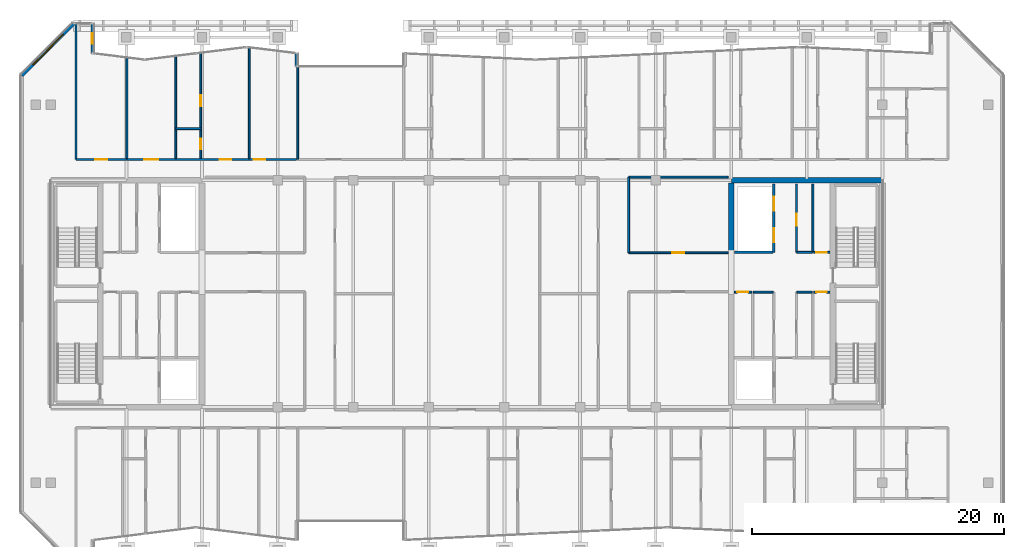
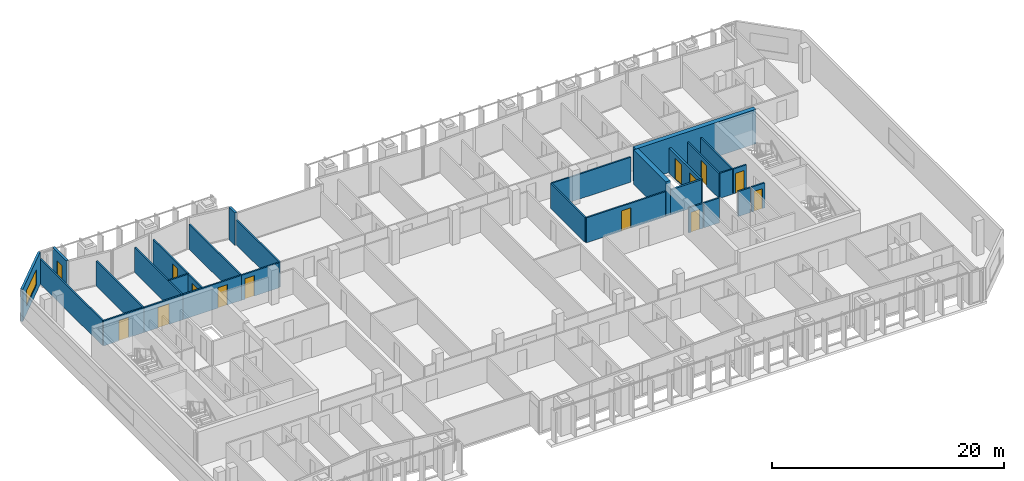
# One storey, part 24 of 32: 29 walls, 13 doors, 2 windows, 15 openings.
"""IFC4 building model written with IfcOpenShell, lengths in metres."""

from ifc_helpers import new_model, si_unit, direction, frame, frame_2d, origin, place, context, subcontext, project, spatial, rectangle, extrude, material, layer, layer_set, type_object, element, fill, save


model = new_model("IFC4")

# Units and contexts
model_context = context("Model", 3, precision=1e-05, world=origin(), true_north=direction((0.0, 1.0)))
body_context = subcontext(model_context, "Body", "Model", "MODEL_VIEW")
ifc_project = project(units=[si_unit("LENGTHUNIT", "METRE"), si_unit("AREAUNIT", "SQUARE_METRE"), si_unit("VOLUMEUNIT", "CUBIC_METRE"), si_unit("PLANEANGLEUNIT", "RADIAN"), si_unit("MASSUNIT", "GRAM", prefix="KILO")], contexts=[model_context])

# Site, building, storey
site_placement = place(None, origin())
site = spatial("IfcSite", under=ifc_project, at=site_placement, CompositionType="ELEMENT")
building_placement = place(site_placement, origin())
building = spatial("IfcBuilding", under=site, at=building_placement, Name="Tanjung Sevakor Pilgrim Tower", CompositionType="ELEMENT")
storey_placement = place(building_placement, frame((0.0, 0.0, 211.860107421875)))
storey = spatial("IfcBuildingStorey", under=building, at=storey_placement, Name="L59", CompositionType="ELEMENT", Elevation=211.860107421875)

# Walls
ifc_material_1 = material(Name="Concrete C60/75", Category="concrete")
ifc_layer_1 = layer(ifc_material_1, 0.449951171875)
ifc_layer_set_1 = layer_set([ifc_layer_1], Name="WALL-CW-450")
wall_type_1 = type_object("IfcWallType", Name="WALL-CW-450", PredefinedType="SHEAR", material=ifc_layer_set_1)
wall_1_placement = place(storey_placement, frame((90.0, 42.60009765625, 0.0), z_axis=(0.0, 0.0, 1.0), x_axis=(-1.0, 0.0, 0.0)))
element("IfcWall", 1, at=wall_1_placement, inside=storey, type_object=wall_type_1, Name="L59 E Core North Shear Wall", PredefinedType="SHEAR", context=body_context, shape_type="SweptSolid", body=[
    extrude(rectangle(XDim=12.0, YDim=0.449951171875, at=frame_2d((6.0, 0.0))), origin(), (0.0, 0.0, 1.0), 3.6298828125),
])
wall_2_placement = place(storey_placement, frame((78.0, 36.800048828125, 0.0), z_axis=(0.0, 0.0, 1.0), x_axis=(0.0, 1.0, 0.0)))
element("IfcWall", 2, at=wall_2_placement, inside=storey, type_object=wall_type_1, Name="L59 E Core Inner Shear Wall North", PredefinedType="SHEAR", context=body_context, shape_type="SweptSolid", body=[
    extrude(rectangle(XDim=5.574951171875, YDim=0.449951171875, at=frame_2d((2.78759765625, 0.0))), origin(), (0.0, 0.0, 1.0), 3.6298828125),
])

# Wall, opening, door
ifc_material_2 = material(Name="Concrete C40/50", Category="concrete")
ifc_layer_2 = layer(ifc_material_2, 0.14990234375)
ifc_layer_set_2 = layer_set([ifc_layer_2], Name="WT-COMP-150")
wall_type_2 = type_object("IfcWallType", Name="WT-COMP-150", PredefinedType="SOLIDWALL", material=ifc_layer_set_2)
wall_3_placement = place(storey_placement, frame((84.550048828125, 33.719970703125, 0.0), z_axis=(0.0, 0.0, 1.0), x_axis=(1.0, 0.0, 0.0)))
wall_3 = element("IfcWall", 3, at=wall_3_placement, inside=storey, type_object=wall_type_2, Name="L59 Partition IW-L59-020", PredefinedType="SOLIDWALL", context=body_context, shape_type="SweptSolid", body=[
    extrude(rectangle(XDim=1.280029296875, YDim=0.14990234375, at=frame_2d((0.64013671875, 0.0))), origin(), (0.0, 0.0, 1.0), 2.6298828125),
])
opening_1_placement = place(wall_3_placement, frame((0.179931640625, 0.0, 0.0)))
opening_1 = element("IfcOpeningElement", 4, at=opening_1_placement, cuts=wall_3, Name="Opening ID-FD3", PredefinedType="OPENING", context=body_context, shape_type="SweptSolid", body=[
    extrude(rectangle(XDim=0.85009765625, YDim=2.10009765625, at=frame_2d((0.425048828125, 1.050048828125))), frame((0.0, 0.0849609375, 0.0), z_axis=(0.0, -1.0, 0.0), x_axis=(1.0, 0.0, 0.0)), (0.0, 0.0, 1.0), 0.169921875),
])
ifc_material_3 = material(Name="Fire-Rated Timber", Category="wood")
door_type_1 = type_object("IfcDoorType", Name="DT-FIRE-850", OperationType="NOTDEFINED", PredefinedType="DOOR", material=ifc_material_3)
door_1_placement = place(opening_1_placement, origin())
door_1 = element("IfcDoor", 5, at=door_1_placement, inside=storey, type_object=door_type_1, Name="L59 Cleaner Store Door", OperationType="SINGLE_SWING_LEFT", OverallHeight=2.10009765625, OverallWidth=0.85009765625, PredefinedType="DOOR", context=body_context, shape_type="SweptSolid", body=[
    extrude(rectangle(XDim=0.85009765625, YDim=2.10009765625, at=frame_2d((0.425048828125, 1.050048828125))), frame((0.0, 0.02490234375, 0.0), z_axis=(0.0, -1.0, 0.0), x_axis=(1.0, 0.0, 0.0)), (0.0, 0.0, 1.0), 0.050048828125),
])
fill(opening_1, door_1)

# Walls
wall_4_placement = place(storey_placement, frame((83.199951171875, 33.719970703125, 0.0), z_axis=(0.0, 0.0, 1.0), x_axis=(1.0, 0.0, 0.0)))
element("IfcWall", 6, at=wall_4_placement, inside=storey, type_object=wall_type_2, Name="L59 Partition IW-L59-021", PredefinedType="SOLIDWALL", context=body_context, shape_type="SweptSolid", body=[
    extrude(rectangle(XDim=1.219970703125, YDim=0.14990234375, at=frame_2d((0.60986328125, 0.0))), origin(), (0.0, 0.0, 1.0), 2.6298828125),
])
wall_5_placement = place(storey_placement, frame((79.760009765625, 33.719970703125, 0.0), z_axis=(0.0, 0.0, 1.0), x_axis=(1.0, 0.0, 0.0)))
element("IfcWall", 7, at=wall_5_placement, inside=storey, type_object=wall_type_2, Name="L59 Partition IW-L59-024", PredefinedType="SOLIDWALL", context=body_context, shape_type="SweptSolid", body=[
    extrude(rectangle(XDim=1.56005859375, YDim=0.14990234375, at=frame_2d((0.780029296875, 0.0))), origin(), (0.0, 0.0, 1.0), 2.6298828125),
])

# Wall, opening, door
wall_6_placement = place(storey_placement, frame((78.2451171875, 33.719970703125, 0.0), z_axis=(0.0, 0.0, 1.0), x_axis=(1.0, 0.0, 0.0)))
wall_6 = element("IfcWall", 8, at=wall_6_placement, inside=storey, type_object=wall_type_2, Name="L59 Partition IW-L59-025", PredefinedType="SOLIDWALL", context=body_context, shape_type="SweptSolid", body=[
    extrude(rectangle(XDim=1.394775390625, YDim=0.14990234375, at=frame_2d((0.697265625, 0.0))), origin(), (0.0, 0.0, 1.0), 2.6298828125),
])
opening_2_placement = place(wall_6_placement, frame((0.239990234375, 0.0, 0.0)))
opening_2 = element("IfcOpeningElement", 9, at=opening_2_placement, cuts=wall_6, Name="Opening ID-FD3", PredefinedType="OPENING", context=body_context, shape_type="SweptSolid", body=[
    extrude(rectangle(XDim=0.85009765625, YDim=2.10009765625, at=frame_2d((0.425048828125, 1.050048828125))), frame((0.0, 0.0849609375, 0.0), z_axis=(0.0, -1.0, 0.0), x_axis=(1.0, 0.0, 0.0)), (0.0, 0.0, 1.0), 0.169921875),
])
door_2_placement = place(opening_2_placement, origin())
door_2 = element("IfcDoor", 10, at=door_2_placement, inside=storey, type_object=door_type_1, Name="L59 Service Store Door", OperationType="SINGLE_SWING_LEFT", OverallHeight=2.10009765625, OverallWidth=0.85009765625, PredefinedType="DOOR", context=body_context, shape_type="SweptSolid", body=[
    extrude(rectangle(XDim=0.85009765625, YDim=2.10009765625, at=frame_2d((0.425048828125, 1.050048828125))), frame((0.0, 0.02490234375, 0.0), z_axis=(0.0, -1.0, 0.0), x_axis=(1.0, 0.0, 0.0)), (0.0, 0.0, 1.0), 0.050048828125),
])
fill(opening_2, door_2)

# Wall
wall_7_placement = place(storey_placement, frame((84.47998046875, 36.8798828125, 0.0), z_axis=(0.0, 0.0, 1.0), x_axis=(0.0, 1.0, 0.0)))
element("IfcWall", 11, at=wall_7_placement, inside=storey, type_object=wall_type_2, Name="L59 Partition IW-L59-027", PredefinedType="SOLIDWALL", context=body_context, shape_type="SweptSolid", body=[
    extrude(rectangle(XDim=5.420166015625, YDim=0.14990234375, at=frame_2d((2.7099609375, 0.0))), origin(), (0.0, 0.0, 1.0), 2.6298828125),
])

# Wall, opening, door
wall_8_placement = place(storey_placement, frame((84.550048828125, 36.8798828125, 0.0), z_axis=(0.0, 0.0, 1.0), x_axis=(1.0, 0.0, 0.0)))
wall_8 = element("IfcWall", 12, at=wall_8_placement, inside=storey, type_object=wall_type_2, Name="L59 Partition IW-L59-028", PredefinedType="SOLIDWALL", context=body_context, shape_type="SweptSolid", body=[
    extrude(rectangle(XDim=1.280029296875, YDim=0.14990234375, at=frame_2d((0.64013671875, 0.0))), origin(), (0.0, 0.0, 1.0), 2.6298828125),
])
opening_3_placement = place(wall_8_placement, frame((0.179931640625, 0.0, 0.0)))
opening_3 = element("IfcOpeningElement", 13, at=opening_3_placement, cuts=wall_8, Name="Opening ID-FD3", PredefinedType="OPENING", context=body_context, shape_type="SweptSolid", body=[
    extrude(rectangle(XDim=0.85009765625, YDim=2.10009765625, at=frame_2d((0.425048828125, 1.050048828125))), frame((0.0, 0.0849609375, 0.0), z_axis=(0.0, -1.0, 0.0), x_axis=(1.0, 0.0, 0.0)), (0.0, 0.0, 1.0), 0.169921875),
])
door_3_placement = place(opening_3_placement, origin())
door_3 = element("IfcDoor", 14, at=door_3_placement, inside=storey, type_object=door_type_1, Name="L59 Service Store Door", OperationType="SINGLE_SWING_LEFT", OverallHeight=2.10009765625, OverallWidth=0.85009765625, PredefinedType="DOOR", context=body_context, shape_type="SweptSolid", body=[
    extrude(rectangle(XDim=0.85009765625, YDim=2.10009765625, at=frame_2d((0.425048828125, 1.050048828125))), frame((0.0, 0.02490234375, 0.0), z_axis=(0.0, -1.0, 0.0), x_axis=(1.0, 0.0, 0.0)), (0.0, 0.0, 1.0), 0.050048828125),
])
fill(opening_3, door_3)

# Wall
wall_9_placement = place(storey_placement, frame((83.199951171875, 36.8798828125, 0.0), z_axis=(0.0, 0.0, 1.0), x_axis=(1.0, 0.0, 0.0)))
element("IfcWall", 15, at=wall_9_placement, inside=storey, type_object=wall_type_2, Name="L59 Partition IW-L59-029", PredefinedType="SOLIDWALL", context=body_context, shape_type="SweptSolid", body=[
    extrude(rectangle(XDim=1.219970703125, YDim=0.14990234375, at=frame_2d((0.60986328125, 0.0))), origin(), (0.0, 0.0, 1.0), 2.6298828125),
])

# Wall, opening, door
wall_10_placement = place(storey_placement, frame((83.179931640625, 36.8798828125, 0.0), z_axis=(0.0, 0.0, 1.0), x_axis=(0.0, 1.0, 0.0)))
wall_10 = element("IfcWall", 16, at=wall_10_placement, inside=storey, type_object=wall_type_2, Name="L59 Partition IW-L59-030", PredefinedType="SOLIDWALL", context=body_context, shape_type="SweptSolid", body=[
    extrude(rectangle(XDim=5.420166015625, YDim=0.14990234375, at=frame_2d((2.7099609375, 0.0))), origin(), (0.0, 0.0, 1.0), 2.6298828125),
])
opening_4_placement = place(wall_10_placement, frame((2.10009765625, 0.0, 0.0)))
opening_4 = element("IfcOpeningElement", 17, at=opening_4_placement, cuts=wall_10, Name="Opening ID-FD2", PredefinedType="OPENING", context=body_context, shape_type="SweptSolid", body=[
    extrude(rectangle(XDim=0.949951171875, YDim=2.14990234375, at=frame_2d((0.47509765625, 1.074951171875))), frame((0.0, 0.0849609375, 0.0), z_axis=(0.0, -1.0, 0.0), x_axis=(1.0, 0.0, 0.0)), (0.0, 0.0, 1.0), 0.169921875),
])
ifc_material_4 = material(Name="Fire-Rated Timber", Category="wood")
door_type_2 = type_object("IfcDoorType", Name="DT-FIRE-950", OperationType="NOTDEFINED", PredefinedType="DOOR", material=ifc_material_4)
door_4_placement = place(opening_4_placement, origin())
door_4 = element("IfcDoor", 18, at=door_4_placement, inside=storey, type_object=door_type_2, Name="L59 Core Reading Room Door", OperationType="SINGLE_SWING_RIGHT", OverallHeight=2.14990234375, OverallWidth=0.949951171875, PredefinedType="DOOR", context=body_context, shape_type="SweptSolid", body=[
    extrude(rectangle(XDim=0.949951171875, YDim=2.14990234375, at=frame_2d((0.47509765625, 1.074951171875))), frame((0.0, 0.02490234375, 0.0), z_axis=(0.0, -1.0, 0.0), x_axis=(1.0, 0.0, 0.0)), (0.0, 0.0, 1.0), 0.050048828125),
])
fill(opening_4, door_4)

wall_11_placement = place(storey_placement, frame((69.85009765625, 36.85009765625, 0.0), z_axis=(0.0, 0.0, 1.0), x_axis=(1.0, 0.0, 0.0)))
wall_11 = element("IfcWall", 19, at=wall_11_placement, inside=storey, type_object=wall_type_2, Name="L59 Partition IW-L59-042", PredefinedType="SOLIDWALL", context=body_context, shape_type="SweptSolid", body=[
    extrude(rectangle(XDim=7.90478515625, YDim=0.14990234375, at=frame_2d((3.952392578125, 0.0))), origin(), (0.0, 0.0, 1.0), 2.6298828125),
])
opening_5_placement = place(wall_11_placement, frame((3.4775390625, 0.0, 0.0)))
opening_5 = element("IfcOpeningElement", 20, at=opening_5_placement, cuts=wall_11, Name="Opening ID-RM1", PredefinedType="OPENING", context=body_context, shape_type="SweptSolid", body=[
    extrude(rectangle(XDim=0.949951171875, YDim=2.14990234375, at=frame_2d((0.47509765625, 1.074951171875))), frame((0.0, 0.0849609375, 0.0), z_axis=(0.0, -1.0, 0.0), x_axis=(1.0, 0.0, 0.0)), (0.0, 0.0, 1.0), 0.169921875),
])
ifc_material_5 = material(Name="Hardwood Timber", Category="wood")
door_type_3 = type_object("IfcDoorType", Name="DT-INT-950", OperationType="NOTDEFINED", PredefinedType="DOOR", material=ifc_material_5)
door_5_placement = place(opening_5_placement, origin())
door_5 = element("IfcDoor", 21, at=door_5_placement, inside=storey, type_object=door_type_3, Name="L59 East Inboard North Door", OperationType="SINGLE_SWING_RIGHT", OverallHeight=2.14990234375, OverallWidth=0.949951171875, PredefinedType="DOOR", context=body_context, shape_type="SweptSolid", body=[
    extrude(rectangle(XDim=0.949951171875, YDim=2.14990234375, at=frame_2d((0.47509765625, 1.074951171875))), frame((0.0, 0.02490234375, 0.0), z_axis=(0.0, -1.0, 0.0), x_axis=(1.0, 0.0, 0.0)), (0.0, 0.0, 1.0), 0.050048828125),
])
fill(opening_5, door_5)

# Walls
wall_12_placement = place(storey_placement, frame((69.85009765625, 42.85009765625, 0.0), z_axis=(0.0, 0.0, 1.0), x_axis=(1.0, 0.0, 0.0)))
element("IfcWall", 22, at=wall_12_placement, inside=storey, type_object=wall_type_2, Name="L59 Partition IW-L59-043", PredefinedType="SOLIDWALL", context=body_context, shape_type="SweptSolid", body=[
    extrude(rectangle(XDim=7.90478515625, YDim=0.14990234375, at=frame_2d((3.952392578125, 0.0))), origin(), (0.0, 0.0, 1.0), 2.6298828125),
])
wall_13_placement = place(storey_placement, frame((69.85009765625, 36.85009765625, 0.0), z_axis=(0.0, 0.0, 1.0), x_axis=(0.0, 1.0, 0.0)))
element("IfcWall", 23, at=wall_13_placement, inside=storey, type_object=wall_type_2, Name="L59 Partition IW-L59-044", PredefinedType="SOLIDWALL", context=body_context, shape_type="SweptSolid", body=[
    extrude(rectangle(XDim=6.0, YDim=0.14990234375, at=frame_2d((3.0, 0.0))), origin(), (0.0, 0.0, 1.0), 2.6298828125),
])
wall_14_placement = place(storey_placement, frame((43.60009765625, 44.25, 0.0), z_axis=(0.0, 0.0, 1.0), x_axis=(0.0, 1.0, 0.0)))
element("IfcWall", 24, at=wall_14_placement, inside=storey, type_object=wall_type_2, Name="L59 Partition IW-L59-063", PredefinedType="SOLIDWALL", context=body_context, shape_type="SweptSolid", body=[
    extrude(rectangle(XDim=8.423828125, YDim=0.14990234375, at=frame_2d((4.2119140625, 0.0))), origin(), (0.0, 0.0, 1.0), 2.6298828125),
])
wall_15_placement = place(storey_placement, frame((26.0, 44.25, 0.0), z_axis=(0.0, 0.0, 1.0), x_axis=(0.0, 1.0, 0.0)))
element("IfcWall", 25, at=wall_15_placement, inside=storey, type_object=wall_type_2, Name="L59 Partition IW-L59-100", PredefinedType="SOLIDWALL", context=body_context, shape_type="SweptSolid", body=[
    extrude(rectangle(XDim=10.7900390625, YDim=0.14990234375, at=frame_2d((5.39501953125, 0.0))), origin(), (0.0, 0.0, 1.0), 2.6298828125),
])
wall_16_placement = place(storey_placement, frame((30.03369140625, 44.25, 0.0), z_axis=(0.0, 0.0, 1.0), x_axis=(0.0, 1.0, 0.0)))
element("IfcWall", 26, at=wall_16_placement, inside=storey, type_object=wall_type_2, Name="L59 Partition IW-L59-101", PredefinedType="SOLIDWALL", context=body_context, shape_type="SweptSolid", body=[
    extrude(rectangle(XDim=8.083984375, YDim=0.14990234375, at=frame_2d((4.0419921875, 0.0))), origin(), (0.0, 0.0, 1.0), 2.6298828125),
])

# Wall, opening, door
wall_17_placement = place(storey_placement, frame((26.0, 44.25, 0.0), z_axis=(0.0, 0.0, 1.0), x_axis=(1.0, 0.0, 0.0)))
wall_17 = element("IfcWall", 27, at=wall_17_placement, inside=storey, type_object=wall_type_2, Name="L59 Partition IW-L59-102", PredefinedType="SOLIDWALL", context=body_context, shape_type="SweptSolid", body=[
    extrude(rectangle(XDim=4.03369140625, YDim=0.14990234375, at=frame_2d((2.016845703125, 0.0))), origin(), (0.0, 0.0, 1.0), 2.6298828125),
])
opening_6_placement = place(wall_17_placement, frame((1.5419921875, 0.0, 0.0)))
opening_6 = element("IfcOpeningElement", 28, at=opening_6_placement, cuts=wall_17, Name="Opening ID-FD2", PredefinedType="OPENING", context=body_context, shape_type="SweptSolid", body=[
    extrude(rectangle(XDim=0.949951171875, YDim=2.14990234375, at=frame_2d((0.47509765625, 1.074951171875))), frame((0.0, 0.0849609375, 0.0), z_axis=(0.0, -1.0, 0.0), x_axis=(1.0, 0.0, 0.0)), (0.0, 0.0, 1.0), 0.169921875),
])
door_6_placement = place(opening_6_placement, origin())
door_6 = element("IfcDoor", 29, at=door_6_placement, inside=storey, type_object=door_type_2, Name="Study Room Entrance", OperationType="SINGLE_SWING_RIGHT", OverallHeight=2.14990234375, OverallWidth=0.949951171875, PredefinedType="DOOR", context=body_context, shape_type="SweptSolid", body=[
    extrude(rectangle(XDim=0.949951171875, YDim=2.14990234375, at=frame_2d((0.47509765625, 1.074951171875))), frame((0.0, 0.02490234375, 0.0), z_axis=(0.0, -1.0, 0.0), x_axis=(1.0, 0.0, 0.0)), (0.0, 0.0, 1.0), 0.050048828125),
])
fill(opening_6, door_6)

# Wall
wall_18_placement = place(storey_placement, frame((33.918212890625, 44.25, 0.0), z_axis=(0.0, 0.0, 1.0), x_axis=(0.0, 1.0, 0.0)))
element("IfcWall", 30, at=wall_18_placement, inside=storey, type_object=wall_type_2, Name="L59 Partition IW-L59-103", PredefinedType="SOLIDWALL", context=body_context, shape_type="SweptSolid", body=[
    extrude(rectangle(XDim=8.2138671875, YDim=0.14990234375, at=frame_2d((4.10693359375, 0.0))), origin(), (0.0, 0.0, 1.0), 2.6298828125),
])

# Wall, opening, door
wall_19_placement = place(storey_placement, frame((30.03369140625, 44.25, 0.0), z_axis=(0.0, 0.0, 1.0), x_axis=(1.0, 0.0, 0.0)))
wall_19 = element("IfcWall", 31, at=wall_19_placement, inside=storey, type_object=wall_type_2, Name="L59 Partition IW-L59-104", PredefinedType="SOLIDWALL", context=body_context, shape_type="SweptSolid", body=[
    extrude(rectangle(XDim=3.884521484375, YDim=0.14990234375, at=frame_2d((1.9423828125, 0.0))), origin(), (0.0, 0.0, 1.0), 2.6298828125),
])
opening_7_placement = place(wall_19_placement, frame((1.39208984375, 0.0, 0.0)))
opening_7 = element("IfcOpeningElement", 32, at=opening_7_placement, cuts=wall_19, Name="Opening ID-FD0", PredefinedType="OPENING", context=body_context, shape_type="SweptSolid", body=[
    extrude(rectangle(XDim=1.10009765625, YDim=2.14990234375, at=frame_2d((0.550048828125, 1.074951171875))), frame((0.0, 0.0849609375, 0.0), z_axis=(0.0, -1.0, 0.0), x_axis=(1.0, 0.0, 0.0)), (0.0, 0.0, 1.0), 0.169921875),
])
ifc_material_6 = material(Name="Fire-Rated Steel S355J2", Category="steel")
door_type_4 = type_object("IfcDoorType", Name="DT-FIRE-1100", OperationType="NOTDEFINED", PredefinedType="DOOR", material=ifc_material_6)
door_7_placement = place(opening_7_placement, origin())
door_7 = element("IfcDoor", 33, at=door_7_placement, inside=storey, type_object=door_type_4, Name="Seminar Room Door", OperationType="SINGLE_SWING_LEFT", OverallHeight=2.14990234375, OverallWidth=1.10009765625, PredefinedType="DOOR", context=body_context, shape_type="SweptSolid", body=[
    extrude(rectangle(XDim=1.10009765625, YDim=2.14990234375, at=frame_2d((0.550048828125, 1.074951171875))), frame((0.0, 0.02490234375, 0.0), z_axis=(0.0, -1.0, 0.0), x_axis=(1.0, 0.0, 0.0)), (0.0, 0.0, 1.0), 0.050048828125),
])
fill(opening_7, door_7)

# Wall
wall_20_placement = place(storey_placement, frame((39.744873046875, 44.25, 0.0), z_axis=(0.0, 0.0, 1.0), x_axis=(0.0, 1.0, 0.0)))
element("IfcWall", 34, at=wall_20_placement, inside=storey, type_object=wall_type_2, Name="L59 Partition IW-L59-105", PredefinedType="SOLIDWALL", context=body_context, shape_type="SweptSolid", body=[
    extrude(rectangle(XDim=8.885009765625, YDim=0.14990234375, at=frame_2d((4.4423828125, 0.0))), origin(), (0.0, 0.0, 1.0), 2.6298828125),
])

# Wall, opening, door
wall_21_placement = place(storey_placement, frame((33.918212890625, 44.25, 0.0), z_axis=(0.0, 0.0, 1.0), x_axis=(1.0, 0.0, 0.0)))
wall_21 = element("IfcWall", 35, at=wall_21_placement, inside=storey, type_object=wall_type_2, Name="L59 Partition IW-L59-108", PredefinedType="SOLIDWALL", context=body_context, shape_type="SweptSolid", body=[
    extrude(rectangle(XDim=5.82666015625, YDim=0.14990234375, at=frame_2d((2.913330078125, 0.0))), origin(), (0.0, 0.0, 1.0), 2.6298828125),
])
opening_8_placement = place(wall_21_placement, frame((3.468994140625, 0.0, 0.0)))
opening_8 = element("IfcOpeningElement", 36, at=opening_8_placement, cuts=wall_21, Name="Opening ID-FD2", PredefinedType="OPENING", context=body_context, shape_type="SweptSolid", body=[
    extrude(rectangle(XDim=0.949951171875, YDim=2.14990234375, at=frame_2d((0.47509765625, 1.074951171875))), frame((0.0, 0.0849609375, 0.0), z_axis=(0.0, -1.0, 0.0), x_axis=(1.0, 0.0, 0.0)), (0.0, 0.0, 1.0), 0.169921875),
])
door_8_placement = place(opening_8_placement, origin())
door_8 = element("IfcDoor", 37, at=door_8_placement, inside=storey, type_object=door_type_2, Name="Hostel Quad Entrance", OperationType="SINGLE_SWING_RIGHT", OverallHeight=2.14990234375, OverallWidth=0.949951171875, PredefinedType="DOOR", context=body_context, shape_type="SweptSolid", body=[
    extrude(rectangle(XDim=0.949951171875, YDim=2.14990234375, at=frame_2d((0.47509765625, 1.074951171875))), frame((0.0, 0.02490234375, 0.0), z_axis=(0.0, -1.0, 0.0), x_axis=(1.0, 0.0, 0.0)), (0.0, 0.0, 1.0), 0.050048828125),
])
fill(opening_8, door_8)

wall_22_placement = place(storey_placement, frame((39.744873046875, 44.25, 0.0), z_axis=(0.0, 0.0, 1.0), x_axis=(1.0, 0.0, 0.0)))
wall_22 = element("IfcWall", 38, at=wall_22_placement, inside=storey, type_object=wall_type_2, Name="L59 Partition IW-L59-109", PredefinedType="SOLIDWALL", context=body_context, shape_type="SweptSolid", body=[
    extrude(rectangle(XDim=3.735107421875, YDim=0.14990234375, at=frame_2d((1.86767578125, 0.0))), origin(), (0.0, 0.0, 1.0), 2.6298828125),
])
opening_9_placement = place(wall_22_placement, frame((0.342529296875, 0.0, 0.0)))
opening_9 = element("IfcOpeningElement", 39, at=opening_9_placement, cuts=wall_22, Name="Opening ID-FD2", PredefinedType="OPENING", context=body_context, shape_type="SweptSolid", body=[
    extrude(rectangle(XDim=0.949951171875, YDim=2.14990234375, at=frame_2d((0.47509765625, 1.074951171875))), frame((0.0, 0.0849609375, 0.0), z_axis=(0.0, -1.0, 0.0), x_axis=(1.0, 0.0, 0.0)), (0.0, 0.0, 1.0), 0.169921875),
])
door_9_placement = place(opening_9_placement, origin())
door_9 = element("IfcDoor", 40, at=door_9_placement, inside=storey, type_object=door_type_2, Name="Study Room Entrance", OperationType="SINGLE_SWING_LEFT", OverallHeight=2.14990234375, OverallWidth=0.949951171875, PredefinedType="DOOR", context=body_context, shape_type="SweptSolid", body=[
    extrude(rectangle(XDim=0.949951171875, YDim=2.14990234375, at=frame_2d((0.47509765625, 1.074951171875))), frame((0.0, 0.02490234375, 0.0), z_axis=(0.0, -1.0, 0.0), x_axis=(1.0, 0.0, 0.0)), (0.0, 0.0, 1.0), 0.050048828125),
])
fill(opening_9, door_9)

# Wall
ifc_material_7 = material(Name="Precast concrete C45/55", Category="concrete")
ifc_layer_3 = layer(ifc_material_7, 0.219970703125)
ifc_layer_set_3 = layer_set([ifc_layer_3], Name="WT-EW-STN4")
wall_type_3 = type_object("IfcWallType", Name="WT-EW-STN4", PredefinedType="SOLIDWALL", material=ifc_layer_set_3)
wall_23_placement = place(storey_placement, frame((43.489990234375, 51.639892578125, 0.0), z_axis=(0.0, 0.0, 1.0), x_axis=(0.0, 1.0, 0.0)))
element("IfcWall", 41, at=wall_23_placement, inside=storey, type_object=wall_type_3, Name="L59 MAIN Exterior Wall 27", PredefinedType="SOLIDWALL", context=body_context, shape_type="SweptSolid", body=[
    extrude(rectangle(XDim=1.03271484375, YDim=0.219970703125, at=frame_2d((0.516357421875, 0.0))), origin(), (0.0, 0.0, 1.0), 3.409912109375),
])

# Wall, opening, window
wall_24_placement = place(storey_placement, frame((27.2900390625, 52.672607421875, 0.0), z_axis=(0.0, 0.0, 1.0), x_axis=(0.0, 1.0, 0.0)))
wall_24 = element("IfcWall", 42, at=wall_24_placement, inside=storey, type_object=wall_type_3, Name="L59 MAIN Exterior Wall 32", PredefinedType="SOLIDWALL", context=body_context, shape_type="SweptSolid", body=[
    extrude(rectangle(XDim=2.367431640625, YDim=0.219970703125, at=frame_2d((1.18359375, 0.0))), origin(), (0.0, 0.0, 1.0), 3.409912109375),
])
opening_10_placement = place(wall_24_placement, frame((0.7587890625, 0.0, 0.780029296875)))
opening_10 = element("IfcOpeningElement", 43, at=opening_10_placement, cuts=wall_24, Name="Opening WN-SLM", PredefinedType="OPENING", context=body_context, shape_type="SweptSolid", body=[
    extrude(rectangle(XDim=0.85009765625, YDim=1.64990234375, at=frame_2d((0.425048828125, 0.824951171875))), frame((0.0, 0.119873046875, 0.0), z_axis=(0.0, -1.0, 0.0), x_axis=(1.0, 0.0, 0.0)), (0.0, 0.0, 1.0), 0.239990234375),
])
ifc_material_8 = material(Name="Thermally Broken Aluminium and Low-E Glass", Category="aluminium")
window_type_1 = type_object("IfcWindowType", Name="WTYP-WN-SLM", PartitioningType="SINGLE_PANEL", PredefinedType="WINDOW", material=ifc_material_8)
window_1_placement = place(opening_10_placement, origin())
window_1 = element("IfcWindow", 44, at=window_1_placement, inside=storey, type_object=window_type_1, Name="L59 Facade Window 01", OverallHeight=1.64990234375, OverallWidth=0.85009765625, PartitioningType="SINGLE_PANEL", PredefinedType="WINDOW", context=body_context, shape_type="SweptSolid", body=[
    extrude(rectangle(XDim=0.85009765625, YDim=1.64990234375, at=frame_2d((0.425048828125, 0.824951171875))), frame((0.0, 0.030029296875, 0.0), z_axis=(0.0, -1.0, 0.0), x_axis=(1.0, 0.0, 0.0)), (0.0, 0.0, 1.0), 0.06005859375),
])
fill(opening_10, window_1)

wall_25_placement = place(storey_placement, frame((25.845703125, 55.0400390625, 0.0), z_axis=(0.0, 0.0, 1.0), x_axis=(-0.707106781187, -0.707106781187, 0.0)))
wall_25 = element("IfcWall", 45, at=wall_25_placement, inside=storey, type_object=wall_type_3, Name="L59 MAIN Sculpted Corner Wall 33", PredefinedType="SOLIDWALL", context=body_context, shape_type="SweptSolid", body=[
    extrude(rectangle(XDim=5.848876953125, YDim=0.219970703125, at=frame_2d((2.92431640625, 0.0))), origin(), (0.0, 0.0, 1.0), 3.409912109375),
])
opening_11_placement = place(wall_25_placement, frame((1.224365234375, 0.0, 0.780029296875)))
opening_11 = element("IfcOpeningElement", 46, at=opening_11_placement, cuts=wall_25, Name="Opening WN-CHM-1660", PredefinedType="OPENING", context=body_context, shape_type="SweptSolid", body=[
    extrude(rectangle(XDim=3.39990234375, YDim=1.659912109375, at=frame_2d((1.699951171875, 0.830078125))), frame((0.0, 0.119873046875, 0.0), z_axis=(0.0, -1.0, 0.0), x_axis=(1.0, 0.0, 0.0)), (0.0, 0.0, 1.0), 0.239990234375),
])
ifc_material_9 = material(Name="Thermally Broken Aluminium and Low-E Glass", Category="aluminium")
window_type_2 = type_object("IfcWindowType", Name="WTYP-WN-CHM-1660", PartitioningType="DOUBLE_PANEL_VERTICAL", PredefinedType="WINDOW", material=ifc_material_9)
window_2_placement = place(opening_11_placement, origin())
window_2 = element("IfcWindow", 47, at=window_2_placement, inside=storey, type_object=window_type_2, Name="L59 Facade Window 01", OverallHeight=1.659912109375, OverallWidth=3.39990234375, PartitioningType="SINGLE_PANEL", PredefinedType="WINDOW", context=body_context, shape_type="SweptSolid", body=[
    extrude(rectangle(XDim=3.39990234375, YDim=1.659912109375, at=frame_2d((1.699951171875, 0.830078125))), frame((0.0, 0.030029296875, 0.0), z_axis=(0.0, -1.0, 0.0), x_axis=(1.0, 0.0, 0.0)), (0.0, 0.0, 1.0), 0.06005859375),
])
fill(opening_11, window_2)

# Wall
ifc_material_10 = material(Name="Concrete C40/50", Category="concrete")
ifc_layer_4 = layer(ifc_material_10, 0.199951171875)
ifc_layer_set_4 = layer_set([ifc_layer_4], Name="WT-FPRT-200")
wall_type_4 = type_object("IfcWallType", Name="WT-FPRT-200", PredefinedType="SOLIDWALL", material=ifc_layer_set_4)
wall_26_placement = place(storey_placement, frame((78.2451171875, 36.8798828125, 0.0), z_axis=(0.0, 0.0, 1.0), x_axis=(1.0, 0.0, 0.0)))
element("IfcWall", 48, at=wall_26_placement, inside=storey, type_object=wall_type_4, Name="L59 Partition IW-L59-031", PredefinedType="SOLIDWALL", context=body_context, shape_type="SweptSolid", body=[
    extrude(rectangle(XDim=3.074951171875, YDim=0.199951171875, at=frame_2d((1.53759765625, 0.0))), origin(), (0.0, 0.0, 1.0), 2.6298828125),
])

# Wall, openings, doors
wall_27_placement = place(storey_placement, frame((81.3798828125, 36.8798828125, 0.0), z_axis=(0.0, 0.0, 1.0), x_axis=(0.0, 1.0, 0.0)))
wall_27 = element("IfcWall", 49, at=wall_27_placement, inside=storey, type_object=wall_type_4, Name="L59 Partition IW-L59-032", PredefinedType="SOLIDWALL", context=body_context, shape_type="SweptSolid", body=[
    extrude(rectangle(XDim=5.420166015625, YDim=0.199951171875, at=frame_2d((2.7099609375, 0.0))), origin(), (0.0, 0.0, 1.0), 2.6298828125),
])
opening_12_placement = place(wall_27_placement, frame((0.800048828125, 0.0, 0.0)))
opening_12 = element("IfcOpeningElement", 50, at=opening_12_placement, cuts=wall_27, Name="Opening LD-1100", PredefinedType="OPENING", context=body_context, shape_type="SweptSolid", body=[
    extrude(rectangle(XDim=1.10009765625, YDim=2.199951171875, at=frame_2d((0.550048828125, 1.10009765625))), frame((0.0, 0.10986328125, 0.0), z_axis=(0.0, -1.0, 0.0), x_axis=(1.0, 0.0, 0.0)), (0.0, 0.0, 1.0), 0.219970703125),
])
opening_13_placement = place(wall_27_placement, frame((3.300048828125, 0.0, 0.0)))
opening_13 = element("IfcOpeningElement", 51, at=opening_13_placement, cuts=wall_27, Name="Opening LD-1100", PredefinedType="OPENING", context=body_context, shape_type="SweptSolid", body=[
    extrude(rectangle(XDim=1.10009765625, YDim=2.199951171875, at=frame_2d((0.550048828125, 1.10009765625))), frame((0.0, 0.10986328125, 0.0), z_axis=(0.0, -1.0, 0.0), x_axis=(1.0, 0.0, 0.0)), (0.0, 0.0, 1.0), 0.219970703125),
])
ifc_material_11 = material(Name="Brushed Stainless Steel S355J2", Category="steel")
door_type_5 = type_object("IfcDoorType", Name="DT-LIFT-1100", OperationType="SLIDING_TO_LEFT", PredefinedType="DOOR", material=ifc_material_11)
door_10_placement = place(opening_12_placement, origin())
door_10 = element("IfcDoor", 52, at=door_10_placement, inside=storey, type_object=door_type_5, Name="LD-PLH1-E", OperationType="SLIDING_TO_LEFT", OverallHeight=2.199951171875, OverallWidth=1.10009765625, PredefinedType="DOOR", context=body_context, shape_type="SweptSolid", body=[
    extrude(rectangle(XDim=1.10009765625, YDim=2.199951171875, at=frame_2d((0.550048828125, 1.10009765625))), frame((0.0, 0.02490234375, 0.0), z_axis=(0.0, -1.0, 0.0), x_axis=(1.0, 0.0, 0.0)), (0.0, 0.0, 1.0), 0.050048828125),
])
fill(opening_12, door_10)
door_11_placement = place(opening_13_placement, origin())
door_11 = element("IfcDoor", 53, at=door_11_placement, inside=storey, type_object=door_type_5, Name="LD-PLH2-E", OperationType="SLIDING_TO_RIGHT", OverallHeight=2.199951171875, OverallWidth=1.10009765625, PredefinedType="DOOR", context=body_context, shape_type="SweptSolid", body=[
    extrude(rectangle(XDim=1.10009765625, YDim=2.199951171875, at=frame_2d((0.550048828125, 1.10009765625))), frame((0.0, 0.02490234375, 0.0), z_axis=(0.0, -1.0, 0.0), x_axis=(1.0, 0.0, 0.0)), (0.0, 0.0, 1.0), 0.050048828125),
])
fill(opening_13, door_11)

# Wall
ifc_material_12 = material(Name="Gypsum Board Partition", Category="gypsum board")
ifc_layer_5 = layer(ifc_material_12, 0.14990234375)
ifc_layer_set_5 = layer_set([ifc_layer_5], Name="WT-PART-150")
wall_type_5 = type_object("IfcWallType", Name="WT-PART-150", PredefinedType="PARTITIONING", material=ifc_layer_set_5)
wall_28_placement = place(storey_placement, frame((33.918212890625, 46.699951171875, 0.0), z_axis=(0.0, 0.0, 1.0), x_axis=(1.0, 0.0, 0.0)))
element("IfcWall", 54, at=wall_28_placement, inside=storey, type_object=wall_type_5, Name="L59 Partition IW-L59-106", PredefinedType="PARTITIONING", context=body_context, shape_type="SweptSolid", body=[
    extrude(rectangle(XDim=1.981201171875, YDim=0.14990234375, at=frame_2d((0.99072265625, 0.0))), origin(), (0.0, 0.0, 1.0), 2.6298828125),
])

# Wall, openings, doors
wall_29_placement = place(storey_placement, frame((35.8994140625, 44.25, 0.0), z_axis=(0.0, 0.0, 1.0), x_axis=(0.0, 1.0, 0.0)))
wall_29 = element("IfcWall", 55, at=wall_29_placement, inside=storey, type_object=wall_type_5, Name="L59 Partition IW-L59-107", PredefinedType="PARTITIONING", context=body_context, shape_type="SweptSolid", body=[
    extrude(rectangle(XDim=8.45849609375, YDim=0.14990234375, at=frame_2d((4.229248046875, 0.0))), origin(), (0.0, 0.0, 1.0), 2.6298828125),
])
opening_14_placement = place(wall_29_placement, frame((0.800048828125, 0.0, 0.0)))
opening_14 = element("IfcOpeningElement", 56, at=opening_14_placement, cuts=wall_29, Name="Opening ID-WC1", PredefinedType="OPENING", context=body_context, shape_type="SweptSolid", body=[
    extrude(rectangle(XDim=0.85009765625, YDim=2.10009765625, at=frame_2d((0.425048828125, 1.050048828125))), frame((0.0, 0.0849609375, 0.0), z_axis=(0.0, -1.0, 0.0), x_axis=(1.0, 0.0, 0.0)), (0.0, 0.0, 1.0), 0.169921875),
])
opening_15_placement = place(wall_29_placement, frame((4.22998046875, 0.0, 0.0)))
opening_15 = element("IfcOpeningElement", 57, at=opening_15_placement, cuts=wall_29, Name="Opening ID-WC1", PredefinedType="OPENING", context=body_context, shape_type="SweptSolid", body=[
    extrude(rectangle(XDim=0.85009765625, YDim=2.10009765625, at=frame_2d((0.425048828125, 1.050048828125))), frame((0.0, 0.0849609375, 0.0), z_axis=(0.0, -1.0, 0.0), x_axis=(1.0, 0.0, 0.0)), (0.0, 0.0, 1.0), 0.169921875),
])
ifc_material_13 = material(Name="Moisture-Resistant Timber", Category="wood")
door_type_6 = type_object("IfcDoorType", Name="DT-INT-850", OperationType="NOTDEFINED", PredefinedType="DOOR", material=ifc_material_13)
door_12_placement = place(opening_14_placement, origin())
door_12 = element("IfcDoor", 58, at=door_12_placement, inside=storey, type_object=door_type_6, Name="Bathroom Door", OperationType="SINGLE_SWING_RIGHT", OverallHeight=2.10009765625, OverallWidth=0.85009765625, PredefinedType="DOOR", context=body_context, shape_type="SweptSolid", body=[
    extrude(rectangle(XDim=0.85009765625, YDim=2.10009765625, at=frame_2d((0.425048828125, 1.050048828125))), frame((0.0, 0.02490234375, 0.0), z_axis=(0.0, -1.0, 0.0), x_axis=(1.0, 0.0, 0.0)), (0.0, 0.0, 1.0), 0.050048828125),
])
fill(opening_14, door_12)
door_13_placement = place(opening_15_placement, origin())
door_13 = element("IfcDoor", 59, at=door_13_placement, inside=storey, type_object=door_type_6, Name="Study Nook Door", OperationType="SINGLE_SWING_LEFT", OverallHeight=2.10009765625, OverallWidth=0.85009765625, PredefinedType="DOOR", context=body_context, shape_type="SweptSolid", body=[
    extrude(rectangle(XDim=0.85009765625, YDim=2.10009765625, at=frame_2d((0.425048828125, 1.050048828125))), frame((0.0, 0.02490234375, 0.0), z_axis=(0.0, -1.0, 0.0), x_axis=(1.0, 0.0, 0.0)), (0.0, 0.0, 1.0), 0.050048828125),
])
fill(opening_15, door_13)

save(model, "model.ifc")
